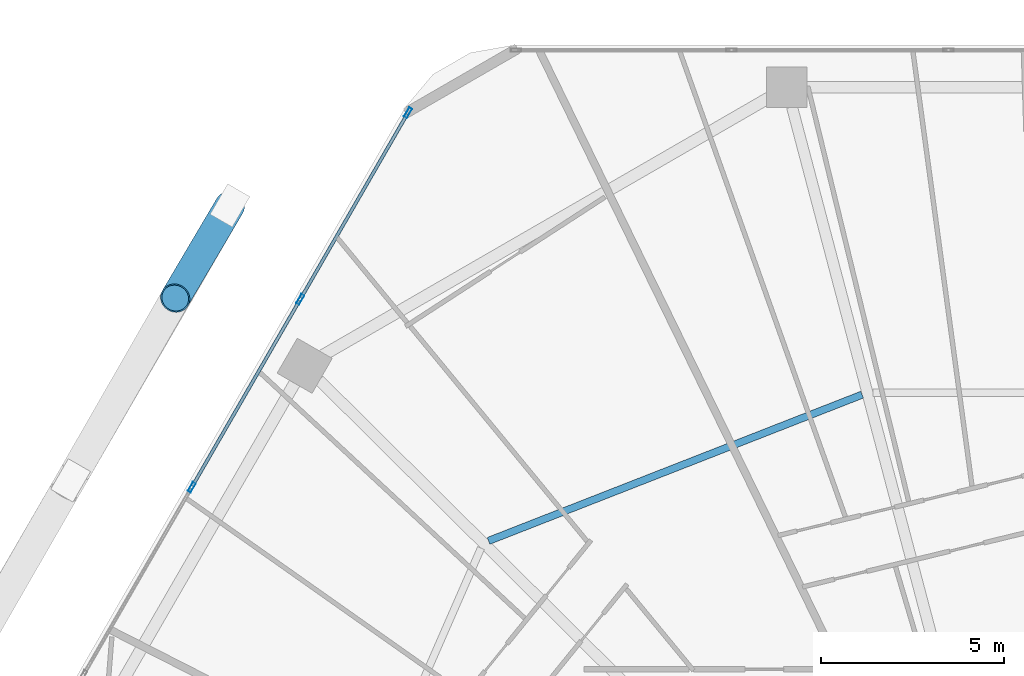
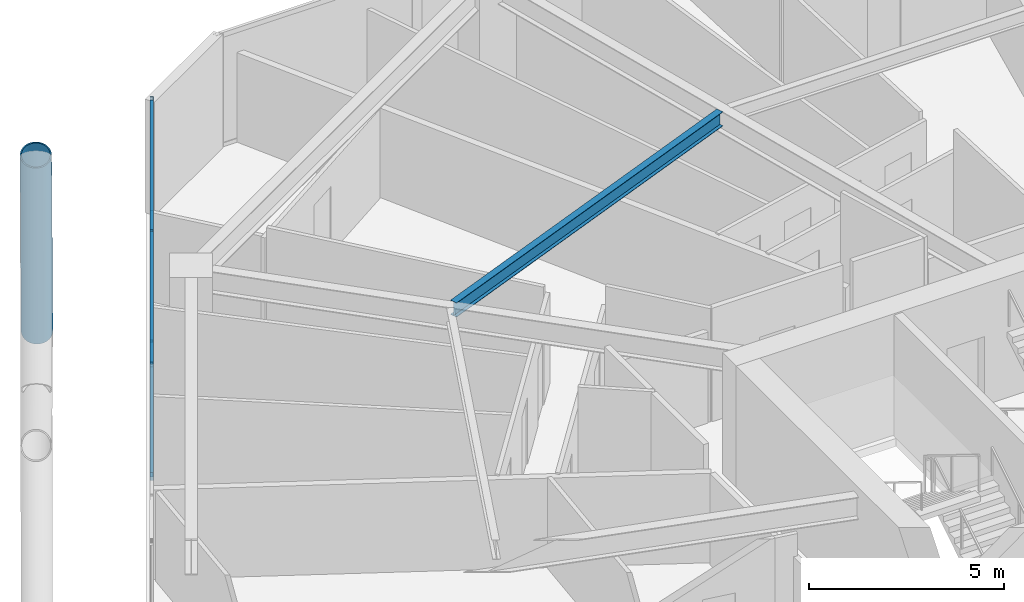
# One storey, part 16 of 35: 8 members, 1 beam, 1 element without a shape of its own.
"""IFC4 building model written with IfcOpenShell, lengths in metres."""

from ifc_helpers import new_model, si_unit, direction, frame, origin, origin_2d, place, context, subcontext, project, spatial, hollow_rectangle, hollow_circle, i_section, extrude, material, material_profile, profile_set, type_object, element, aggregate, save


model = new_model("IFC4")

# Units and contexts
model_context = context("Model", 3, precision=1e-05, world=origin(), true_north=direction((0.0, 1.0)))
body_context = subcontext(model_context, "Body", "Model", "MODEL_VIEW")
ifc_project = project(units=[si_unit("LENGTHUNIT", "METRE"), si_unit("AREAUNIT", "SQUARE_METRE"), si_unit("VOLUMEUNIT", "CUBIC_METRE"), si_unit("PLANEANGLEUNIT", "RADIAN"), si_unit("MASSUNIT", "GRAM", prefix="KILO")], contexts=[model_context])

# Site, building, storey
site_placement = place(None, origin())
site = spatial("IfcSite", under=ifc_project, at=site_placement, CompositionType="ELEMENT")
building_placement = place(site_placement, origin())
building = spatial("IfcBuilding", under=site, at=building_placement, Name="Zuhravey Tower", CompositionType="ELEMENT")
storey_placement = place(building_placement, frame((0.0, 0.0, 122.800048828125)))
storey = spatial("IfcBuildingStorey", under=building, at=storey_placement, Name="L30", CompositionType="ELEMENT", Elevation=122.800048828125)

# Curtain wall, members
ifc_material_1 = material(Name="Thermally broken anodised aluminium", Category="aluminium")
curtain_wall_type = type_object("IfcCurtainWallType", Name="Zone 1-2 Residential Curtain Wall CW3", PredefinedType="NOTDEFINED", material=ifc_material_1)
curtain_wall_placement = place(storey_placement, origin())
curtain_wall = element("IfcCurtainWall", 1, at=curtain_wall_placement, inside=storey, type_object=curtain_wall_type, Name="L30 CW3 CW-L30-F3-1", PredefinedType="NOTDEFINED")
ifc_material_2 = material(Name="Anodised aluminium", Category="aluminium")
ifc_material_profile_1 = material_profile(ifc_material_2, hollow_rectangle(XDim=0.090087890625, YDim=0.284912109375, WallThickness=0.0048828125, at=origin_2d()), Name="ALU-RHS-90x285x5")
ifc_profile_set_1 = profile_set([ifc_material_profile_1], Name="Anodised aluminium")
member_type_1 = type_object("IfcMemberType", Name="Curtain-Wall Mullion 90x180", PredefinedType="MULLION", material=ifc_profile_set_1)
member_1_placement = place(storey_placement, frame((12.401123046875, 49.04248046875, 0.0), z_axis=(0.0, 0.0, 1.0), x_axis=(-0.86602552265, 0.499999794119, 0.0)))
member_1 = element("IfcMember", 2, at=member_1_placement, type_object=member_type_1, Name="CW3 mullion 4", PredefinedType="MULLION", context=body_context, shape_type="SweptSolid", body=[
    extrude(hollow_rectangle(XDim=0.090087890625, YDim=0.284912109375, WallThickness=0.0048828125, at=origin_2d()), origin(), (0.0, 0.0, 1.0), 3.550048828125),
])
member_2_placement = place(storey_placement, frame((15.361083984375, 54.169189453125, 0.0), z_axis=(0.0, 0.0, 1.0), x_axis=(-0.86602552265, 0.499999794119, 0.0)))
member_2 = element("IfcMember", 3, at=member_2_placement, type_object=member_type_1, Name="CW3 mullion 5", PredefinedType="MULLION", context=body_context, shape_type="SweptSolid", body=[
    extrude(hollow_rectangle(XDim=0.090087890625, YDim=0.284912109375, WallThickness=0.0048828125, at=origin_2d()), origin(), (0.0, 0.0, 1.0), 3.550048828125),
])
member_3_placement = place(storey_placement, frame((18.298583984375, 59.257080078125, 0.0), z_axis=(0.0, 0.0, 1.0), x_axis=(-0.86602552265, 0.499999794119, 0.0)))
member_3 = element("IfcMember", 4, at=member_3_placement, type_object=member_type_1, Name="CW3 mullion 6", PredefinedType="MULLION", context=body_context, shape_type="SweptSolid", body=[
    extrude(hollow_rectangle(XDim=0.090087890625, YDim=0.284912109375, WallThickness=0.0048828125, at=origin_2d()), origin(), (0.0, 0.0, 1.0), 3.550048828125),
])
ifc_material_profile_2 = material_profile(ifc_material_2, hollow_rectangle(XDim=0.090087890625, YDim=0.14990234375, WallThickness=0.0048828125, at=origin_2d()), Name="ALU-RHS-90x150x5")
ifc_profile_set_2 = profile_set([ifc_material_profile_2], Name="Anodised aluminium")
member_type_2 = type_object("IfcMemberType", Name="Curtain-Wall Transom 90x150", PredefinedType="USERDEFINED", material=ifc_profile_set_2)
member_4_placement = place(storey_placement, frame((12.423583984375, 49.08154296875, 0.044921875), z_axis=(0.500012451049, 0.866018215049, 0.0), x_axis=(-0.866018215049, 0.500012451049, 0.0)))
member_4 = element("IfcMember", 5, at=member_4_placement, type_object=member_type_2, Name="CW3 transom 4.1", ObjectType="TRANSOM", PredefinedType="USERDEFINED", context=body_context, shape_type="SweptSolid", body=[
    extrude(hollow_rectangle(XDim=0.090087890625, YDim=0.14990234375, WallThickness=0.0048828125, at=origin_2d()), origin(), (0.0, 0.0, 1.0), 5.829833984375),
])
member_5_placement = place(storey_placement, frame((12.423583984375, 49.08154296875, 3.5048828125), z_axis=(0.500012451049, 0.866018215049, 0.0), x_axis=(-0.866018215049, 0.500012451049, 0.0)))
member_5 = element("IfcMember", 6, at=member_5_placement, type_object=member_type_2, Name="CW3 transom 4.2", ObjectType="TRANSOM", PredefinedType="USERDEFINED", context=body_context, shape_type="SweptSolid", body=[
    extrude(hollow_rectangle(XDim=0.090087890625, YDim=0.14990234375, WallThickness=0.0048828125, at=origin_2d()), origin(), (0.0, 0.0, 1.0), 5.829833984375),
])
member_6_placement = place(storey_placement, frame((15.383544921875, 54.208251953125, 0.044921875), z_axis=(0.499992798144, 0.866029561738, 0.0), x_axis=(-0.866029561738, 0.499992798144, 0.0)))
member_6 = element("IfcMember", 7, at=member_6_placement, type_object=member_type_2, Name="CW3 transom 5.1", ObjectType="TRANSOM", PredefinedType="USERDEFINED", context=body_context, shape_type="SweptSolid", body=[
    extrude(hollow_rectangle(XDim=0.090087890625, YDim=0.14990234375, WallThickness=0.0048828125, at=origin_2d()), origin(), (0.0, 0.0, 1.0), 5.78466796875),
])
member_7_placement = place(storey_placement, frame((15.383544921875, 54.208251953125, 3.5048828125), z_axis=(0.499992798144, 0.866029561738, 0.0), x_axis=(-0.866029561738, 0.499992798144, 0.0)))
member_7 = element("IfcMember", 8, at=member_7_placement, type_object=member_type_2, Name="CW3 transom 5.2", ObjectType="TRANSOM", PredefinedType="USERDEFINED", context=body_context, shape_type="SweptSolid", body=[
    extrude(hollow_rectangle(XDim=0.090087890625, YDim=0.14990234375, WallThickness=0.0048828125, at=origin_2d()), origin(), (0.0, 0.0, 1.0), 5.78466796875),
])
aggregate(curtain_wall, [member_1, member_2, member_3, member_4, member_5, member_6, member_7])

# Member
ifc_material_3 = material(Name="Steel SM460", Category="steel")
ifc_material_profile_3 = material_profile(ifc_material_3, hollow_circle(Radius=0.406494140625, WallThickness=0.035888671875, at=origin_2d()), Name="CHS-812.8x36")
ifc_profile_set_3 = profile_set([ifc_material_profile_3], Name="Steel SM460")
member_type_3 = type_object("IfcMemberType", Name="Exoskeleton Zone 1 Diagrid CHS813x36", PredefinedType="BRACE", material=ifc_profile_set_3)
member_8_placement = place(storey_placement, frame((13.439208984375, 56.720703125, -0.442138671875), z_axis=(-0.183732280177, -0.310880561966, 0.932521166201), x_axis=(0.860889982927, -0.508791152926, 0.0)))
element("IfcMember", 9, at=member_8_placement, inside=storey, type_object=member_type_3, Name="L30 Face 3 Diagrid Brace 1", PredefinedType="BRACE", context=body_context, shape_type="SweptSolid", body=[
    extrude(hollow_circle(Radius=0.406494140625, WallThickness=0.035888671875, at=origin_2d()), origin(), (0.0, 0.0, 1.0), 8.10302734375),
])

# Beam
ifc_material_4 = material(Name="Steel SM355", Category="steel")
ifc_material_profile_4 = material_profile(ifc_material_4, i_section(OverallWidth=0.199951171875, OverallDepth=0.449951171875, WebThickness=0.009033203125, FlangeThickness=0.013916015625, at=origin_2d()), Name="H-450x200x9x14")
ifc_profile_set_4 = profile_set([ifc_material_profile_4], Name="Steel SM355")
beam_type = type_object("IfcBeamType", Name="Secondary Floor Joist H450x200", PredefinedType="JOIST", material=ifc_profile_set_4)
beam_placement = place(storey_placement, frame((30.681640625, 51.568359375, 3.324951171875), z_axis=(-0.931216764731, -0.364465824302, 0.0), x_axis=(0.364465824302, -0.931216764731, 0.0)))
element("IfcBeam", 10, at=beam_placement, inside=storey, type_object=beam_type, Name="L30 SJ1 BM-L30-SJ-04-1", PredefinedType="JOIST", context=body_context, shape_type="SweptSolid", body=[
    extrude(i_section(OverallWidth=0.199951171875, OverallDepth=0.449951171875, WebThickness=0.009033203125, FlangeThickness=0.013916015625, at=origin_2d()), origin(), (0.0, 0.0, 1.0), 10.939453125),
])

save(model, "model.ifc")
